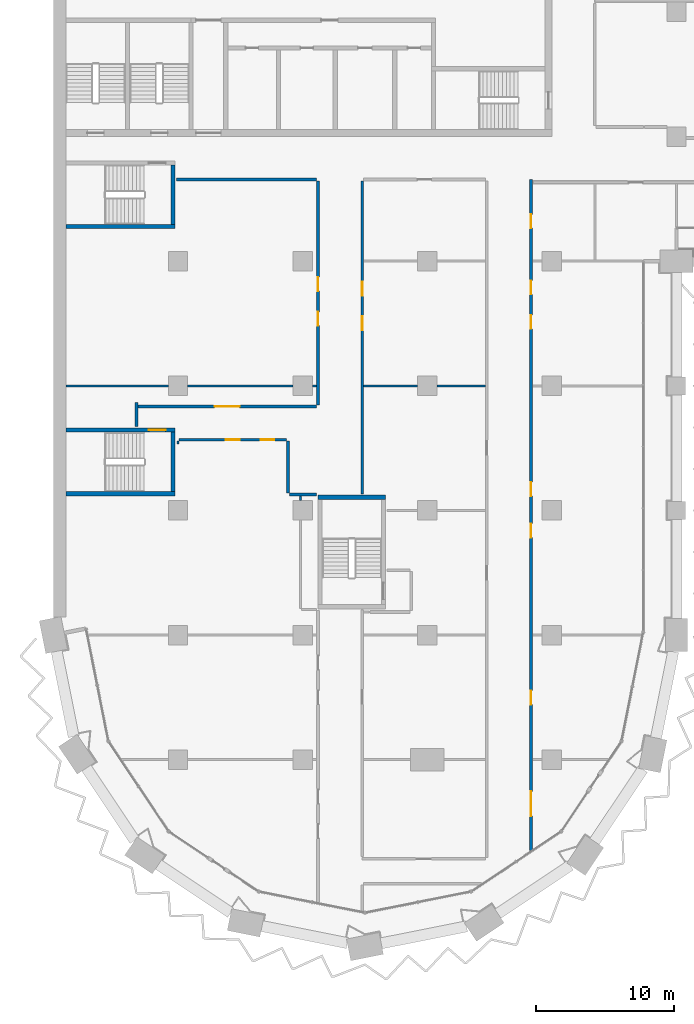
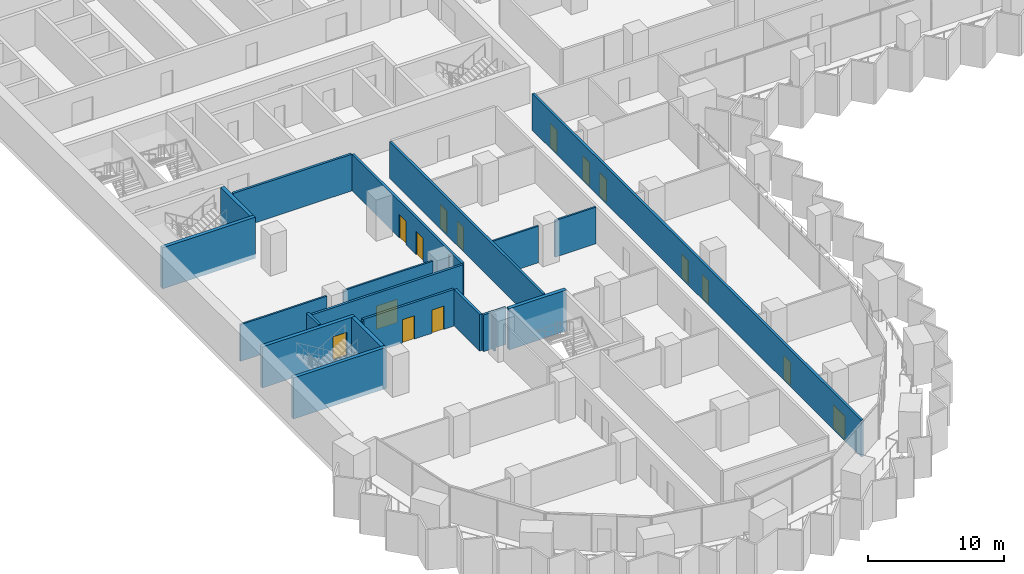
# One storey, part 11 of 29: 22 walls, 15 doors, 15 openings.
"""IFC4 building model written with IfcOpenShell, lengths in metres."""

from ifc_helpers import new_model, si_unit, direction, frame, frame_2d, origin, place, context, subcontext, project, spatial, rectangle, extrude, material, layer, layer_set, type_object, element, fill, save


model = new_model("IFC4")

# Units and contexts
model_context = context("Model", 3, precision=1e-05, world=origin(), true_north=direction((0.0, 1.0)))
body_context = subcontext(model_context, "Body", "Model", "MODEL_VIEW")
ifc_project = project(units=[si_unit("LENGTHUNIT", "METRE"), si_unit("AREAUNIT", "SQUARE_METRE"), si_unit("VOLUMEUNIT", "CUBIC_METRE"), si_unit("PLANEANGLEUNIT", "RADIAN"), si_unit("MASSUNIT", "GRAM", prefix="KILO")], contexts=[model_context])

# Site, building, storey
site_placement = place(None, origin())
site = spatial("IfcSite", under=ifc_project, at=site_placement, CompositionType="ELEMENT")
building_placement = place(site_placement, origin())
building = spatial("IfcBuilding", under=site, at=building_placement, Name="Hunhe Ridgeline Campus", CompositionType="ELEMENT")
storey_placement = place(building_placement, frame((0.0, 0.0, 46.89990234375)))
storey = spatial("IfcBuildingStorey", under=building, at=storey_placement, Name="L10", CompositionType="ELEMENT", Elevation=46.89990234375)

# Wall
ifc_material_1 = material(Name="Gypsum board partition")
ifc_layer_1 = layer(ifc_material_1, 0.199951171875)
ifc_layer_set_1 = layer_set([ifc_layer_1], Name="Corridor partition 200 gypsum board on steel studs")
wall_type_1 = type_object("IfcWallType", Name="Corridor partition 200 gypsum board on steel studs", PredefinedType="PARTITIONING", material=ifc_layer_set_1)
wall_1_placement = place(storey_placement, frame((18.99609375, 37.14990234375, 0.0), z_axis=(0.0, 0.0, 1.0), x_axis=(-1.0, 0.0, 0.0)))
element("IfcWall", 1, at=wall_1_placement, inside=storey, type_object=wall_type_1, Name="F-L10-wall-023", PredefinedType="PARTITIONING", context=body_context, shape_type="SweptSolid", body=[
    extrude(rectangle(XDim=1.946044921875, YDim=0.199951171875, at=frame_2d((0.97314453125, 0.0))), origin(), (0.0, 0.0, 1.0), 3.300048828125),
])

# Wall, openings, doors
wall_2_placement = place(storey_placement, frame((16.85009765625, 41.10009765625, 0.0), z_axis=(0.0, 0.0, 1.0), x_axis=(-1.0, 0.0, 0.0)))
wall_2 = element("IfcWall", 2, at=wall_2_placement, inside=storey, type_object=wall_type_1, Name="F-L10-wall-024", PredefinedType="PARTITIONING", context=body_context, shape_type="SweptSolid", body=[
    extrude(rectangle(XDim=7.775146484375, YDim=0.199951171875, at=frame_2d((3.8876953125, 0.0))), origin(), (0.0, 0.0, 1.0), 3.300048828125),
])
opening_1_placement = place(wall_2_placement, frame((3.387451171875, 0.0, 0.0)))
opening_1 = element("IfcOpeningElement", 3, at=opening_1_placement, cuts=wall_2, Name="Opening RD1-013", PredefinedType="OPENING", context=body_context, shape_type="SweptSolid", body=[
    extrude(rectangle(XDim=1.0, YDim=2.10009765625, at=frame_2d((0.5, 1.050048828125))), frame((0.0, 0.10009765625, 0.0), z_axis=(0.0, -1.0, 0.0), x_axis=(1.0, 0.0, 0.0)), (0.0, 0.0, 1.0), 0.199951171875),
])
opening_2_placement = place(wall_2_placement, frame((0.887451171875, 0.0, 0.0)))
opening_2 = element("IfcOpeningElement", 4, at=opening_2_placement, cuts=wall_2, Name="Opening RD1-014", PredefinedType="OPENING", context=body_context, shape_type="SweptSolid", body=[
    extrude(rectangle(XDim=1.0, YDim=2.10009765625, at=frame_2d((0.5, 1.050048828125))), frame((0.0, 0.10009765625, 0.0), z_axis=(0.0, -1.0, 0.0), x_axis=(1.0, 0.0, 0.0)), (0.0, 0.0, 1.0), 0.199951171875),
])
ifc_material_2 = material(Name="Timber door leaf", Category="wood")
door_type_1 = type_object("IfcDoorType", Name="Single fire door 1000x2100 timber FD60", OperationType="NOTDEFINED", PredefinedType="DOOR", material=ifc_material_2)
door_1_placement = place(opening_1_placement, frame((1.0, 0.0, 0.0), z_axis=(0.0, 0.0, 1.0), x_axis=(-1.0, 0.0, 0.0)))
door_1 = element("IfcDoor", 5, at=door_1_placement, inside=storey, type_object=door_type_1, Name="F-L10-door-013", OperationType="SINGLE_SWING_RIGHT", OverallHeight=2.10009765625, OverallWidth=1.0, PredefinedType="DOOR", context=body_context, shape_type="SweptSolid", body=[
    extrude(rectangle(XDim=1.0, YDim=2.10009765625, at=frame_2d((0.5, 1.050048828125))), frame((0.0, 0.02490234375, 0.0), z_axis=(0.0, -1.0, 0.0), x_axis=(1.0, 0.0, 0.0)), (0.0, 0.0, 1.0), 0.050048828125),
])
fill(opening_1, door_1)
door_2_placement = place(opening_2_placement, frame((1.0, 0.0, 0.0), z_axis=(0.0, 0.0, 1.0), x_axis=(-1.0, 0.0, 0.0)))
door_2 = element("IfcDoor", 6, at=door_2_placement, inside=storey, type_object=door_type_1, Name="F-L10-door-014", OperationType="SINGLE_SWING_RIGHT", OverallHeight=2.10009765625, OverallWidth=1.0, PredefinedType="DOOR", context=body_context, shape_type="SweptSolid", body=[
    extrude(rectangle(XDim=1.0, YDim=2.10009765625, at=frame_2d((0.5, 1.050048828125))), frame((0.0, 0.02490234375, 0.0), z_axis=(0.0, -1.0, 0.0), x_axis=(1.0, 0.0, 0.0)), (0.0, 0.0, 1.0), 0.050048828125),
])
fill(opening_2, door_2)

# Wall, opening, door
wall_3_placement = place(storey_placement, frame((6.10009765625, 43.5, 0.0), z_axis=(0.0, 0.0, 1.0), x_axis=(1.0, 0.0, 0.0)))
wall_3 = element("IfcWall", 7, at=wall_3_placement, inside=storey, type_object=wall_type_1, Name="F-L10-wall-025", PredefinedType="PARTITIONING", context=body_context, shape_type="SweptSolid", body=[
    extrude(rectangle(XDim=12.89990234375, YDim=0.199951171875, at=frame_2d((6.449951171875, 0.0))), origin(), (0.0, 0.0, 1.0), 3.300048828125),
])
opening_3_placement = place(wall_3_placement, frame((5.550048828125, 0.0, 0.0)))
opening_3 = element("IfcOpeningElement", 8, at=opening_3_placement, cuts=wall_3, Name="Opening RD2-015", PredefinedType="OPENING", context=body_context, shape_type="SweptSolid", body=[
    extrude(rectangle(XDim=1.800048828125, YDim=2.10009765625, at=frame_2d((0.89990234375, 1.050048828125))), frame((0.0, 0.10009765625, 0.0), z_axis=(0.0, -1.0, 0.0), x_axis=(1.0, 0.0, 0.0)), (0.0, 0.0, 1.0), 0.199951171875),
])
door_type_2 = type_object("IfcDoorType", Name="Double fire door 1800x2100 timber FD60", OperationType="DOUBLE_DOOR_SINGLE_SWING", PredefinedType="DOOR", material=ifc_material_2)
door_3_placement = place(opening_3_placement, origin())
door_3 = element("IfcDoor", 9, at=door_3_placement, inside=storey, type_object=door_type_2, Name="F-L10-door-015", OperationType="DOUBLE_DOOR_SINGLE_SWING", OverallHeight=2.10009765625, OverallWidth=1.800048828125, PredefinedType="DOOR", context=body_context, shape_type="SweptSolid", body=[
    extrude(rectangle(XDim=1.800048828125, YDim=2.10009765625, at=frame_2d((0.89990234375, 1.050048828125))), frame((0.0, 0.02490234375, 0.0), z_axis=(0.0, -1.0, 0.0), x_axis=(1.0, 0.0, 0.0)), (0.0, 0.0, 1.0), 0.050048828125),
])
fill(opening_3, door_3)

# Walls
wall_4_placement = place(storey_placement, frame((19.0, 59.89990234375, 0.0), z_axis=(0.0, 0.0, 1.0), x_axis=(-1.0, 0.0, 0.0)))
element("IfcWall", 10, at=wall_4_placement, inside=storey, type_object=wall_type_1, Name="F-L10-wall-038", PredefinedType="PARTITIONING", context=body_context, shape_type="SweptSolid", body=[
    extrude(rectangle(XDim=10.095947265625, YDim=0.199951171875, at=frame_2d((5.0478515625, 0.0))), origin(), (0.0, 0.0, 1.0), 3.300048828125),
])
wall_5_placement = place(storey_placement, frame((6.0, 42.053955078125, 0.0), z_axis=(0.0, 0.0, 1.0), x_axis=(0.0, 1.0, 0.0)))
element("IfcWall", 11, at=wall_5_placement, inside=storey, type_object=wall_type_1, Name="F-L10-wall-055", PredefinedType="PARTITIONING", context=body_context, shape_type="SweptSolid", body=[
    extrude(rectangle(XDim=1.74609375, YDim=0.199951171875, at=frame_2d((0.873046875, 0.0))), origin(), (0.0, 0.0, 1.0), 3.300048828125),
])
wall_6_placement = place(storey_placement, frame((16.949951171875, 37.25, 0.0), z_axis=(0.0, 0.0, 1.0), x_axis=(0.0, 1.0, 0.0)))
element("IfcWall", 12, at=wall_6_placement, inside=storey, type_object=wall_type_1, Name="F-L10-wall-057", PredefinedType="PARTITIONING", context=body_context, shape_type="SweptSolid", body=[
    extrude(rectangle(XDim=3.75, YDim=0.199951171875, at=frame_2d((1.875, 0.0))), origin(), (0.0, 0.0, 1.0), 3.300048828125),
])

# Wall, openings, doors
wall_7_placement = place(storey_placement, frame((19.10009765625, 43.6181640625, 0.0), z_axis=(0.0, 0.0, 1.0), x_axis=(0.0, 1.0, 0.0)))
wall_7 = element("IfcWall", 13, at=wall_7_placement, inside=storey, type_object=wall_type_1, Name="F-L10-wall-061", PredefinedType="PARTITIONING", context=body_context, shape_type="SweptSolid", body=[
    extrude(rectangle(XDim=16.181884765625, YDim=0.199951171875, at=frame_2d((8.0908203125, 0.0))), origin(), (0.0, 0.0, 1.0), 3.300048828125),
])
opening_4_placement = place(wall_7_placement, frame((5.72314453125, 0.0, 0.0)))
opening_4 = element("IfcOpeningElement", 14, at=opening_4_placement, cuts=wall_7, Name="Opening RD1-018", PredefinedType="OPENING", context=body_context, shape_type="SweptSolid", body=[
    extrude(rectangle(XDim=1.0, YDim=2.10009765625, at=frame_2d((0.5, 1.050048828125))), frame((0.0, 0.10009765625, 0.0), z_axis=(0.0, -1.0, 0.0), x_axis=(1.0, 0.0, 0.0)), (0.0, 0.0, 1.0), 0.199951171875),
])
opening_5_placement = place(wall_7_placement, frame((8.22314453125, 0.0, 0.0)))
opening_5 = element("IfcOpeningElement", 15, at=opening_5_placement, cuts=wall_7, Name="Opening RD1-021", PredefinedType="OPENING", context=body_context, shape_type="SweptSolid", body=[
    extrude(rectangle(XDim=1.0, YDim=2.10009765625, at=frame_2d((0.5, 1.050048828125))), frame((0.0, 0.10009765625, 0.0), z_axis=(0.0, -1.0, 0.0), x_axis=(1.0, 0.0, 0.0)), (0.0, 0.0, 1.0), 0.199951171875),
])
door_4_placement = place(opening_4_placement, frame((1.0, 0.0, 0.0), z_axis=(0.0, 0.0, 1.0), x_axis=(-1.0, 0.0, 0.0)))
door_4 = element("IfcDoor", 16, at=door_4_placement, inside=storey, type_object=door_type_1, Name="F-L10-door-018", OperationType="SINGLE_SWING_RIGHT", OverallHeight=2.10009765625, OverallWidth=1.0, PredefinedType="DOOR", context=body_context, shape_type="SweptSolid", body=[
    extrude(rectangle(XDim=1.0, YDim=2.10009765625, at=frame_2d((0.5, 1.050048828125))), frame((0.0, 0.02490234375, 0.0), z_axis=(0.0, -1.0, 0.0), x_axis=(1.0, 0.0, 0.0)), (0.0, 0.0, 1.0), 0.050048828125),
])
fill(opening_4, door_4)
door_5_placement = place(opening_5_placement, frame((1.0, 0.0, 0.0), z_axis=(0.0, 0.0, 1.0), x_axis=(-1.0, 0.0, 0.0)))
door_5 = element("IfcDoor", 17, at=door_5_placement, inside=storey, type_object=door_type_1, Name="F-L10-door-021", OperationType="SINGLE_SWING_RIGHT", OverallHeight=2.10009765625, OverallWidth=1.0, PredefinedType="DOOR", context=body_context, shape_type="SweptSolid", body=[
    extrude(rectangle(XDim=1.0, YDim=2.10009765625, at=frame_2d((0.5, 1.050048828125))), frame((0.0, 0.02490234375, 0.0), z_axis=(0.0, -1.0, 0.0), x_axis=(1.0, 0.0, 0.0)), (0.0, 0.0, 1.0), 0.050048828125),
])
fill(opening_5, door_5)

wall_8_placement = place(storey_placement, frame((22.300048828125, 59.800048828125, 0.0), z_axis=(0.0, 0.0, 1.0), x_axis=(0.0, -1.0, 0.0)))
wall_8 = element("IfcWall", 18, at=wall_8_placement, inside=storey, type_object=wall_type_1, Name="F-L10-wall-064", PredefinedType="PARTITIONING", context=body_context, shape_type="SweptSolid", body=[
    extrude(rectangle(XDim=22.595947265625, YDim=0.199951171875, at=frame_2d((11.2978515625, 0.0))), origin(), (0.0, 0.0, 1.0), 3.300048828125),
])
opening_6_placement = place(wall_8_placement, frame((9.793701171875, 0.0, 0.0)))
opening_6 = element("IfcOpeningElement", 19, at=opening_6_placement, cuts=wall_8, Name="Opening RD1-016", PredefinedType="OPENING", context=body_context, shape_type="SweptSolid", body=[
    extrude(rectangle(XDim=1.0, YDim=2.10009765625, at=frame_2d((0.5, 1.050048828125))), frame((0.0, 0.10009765625, 0.0), z_axis=(0.0, -1.0, 0.0), x_axis=(1.0, 0.0, 0.0)), (0.0, 0.0, 1.0), 0.199951171875),
])
opening_7_placement = place(wall_8_placement, frame((7.293701171875, 0.0, 0.0)))
opening_7 = element("IfcOpeningElement", 20, at=opening_7_placement, cuts=wall_8, Name="Opening RD1-019", PredefinedType="OPENING", context=body_context, shape_type="SweptSolid", body=[
    extrude(rectangle(XDim=1.0, YDim=2.10009765625, at=frame_2d((0.5, 1.050048828125))), frame((0.0, 0.10009765625, 0.0), z_axis=(0.0, -1.0, 0.0), x_axis=(1.0, 0.0, 0.0)), (0.0, 0.0, 1.0), 0.199951171875),
])
door_6_placement = place(opening_6_placement, frame((1.0, 0.0, 0.0), z_axis=(0.0, 0.0, 1.0), x_axis=(-1.0, 0.0, 0.0)))
door_6 = element("IfcDoor", 21, at=door_6_placement, inside=storey, type_object=door_type_1, Name="F-L10-door-016", OperationType="SINGLE_SWING_RIGHT", OverallHeight=2.10009765625, OverallWidth=1.0, PredefinedType="DOOR", context=body_context, shape_type="SweptSolid", body=[
    extrude(rectangle(XDim=1.0, YDim=2.10009765625, at=frame_2d((0.5, 1.050048828125))), frame((0.0, 0.02490234375, 0.0), z_axis=(0.0, -1.0, 0.0), x_axis=(1.0, 0.0, 0.0)), (0.0, 0.0, 1.0), 0.050048828125),
])
fill(opening_6, door_6)
door_7_placement = place(opening_7_placement, frame((1.0, 0.0, 0.0), z_axis=(0.0, 0.0, 1.0), x_axis=(-1.0, 0.0, 0.0)))
door_7 = element("IfcDoor", 22, at=door_7_placement, inside=storey, type_object=door_type_1, Name="F-L10-door-019", OperationType="SINGLE_SWING_RIGHT", OverallHeight=2.10009765625, OverallWidth=1.0, PredefinedType="DOOR", context=body_context, shape_type="SweptSolid", body=[
    extrude(rectangle(XDim=1.0, YDim=2.10009765625, at=frame_2d((0.5, 1.050048828125))), frame((0.0, 0.02490234375, 0.0), z_axis=(0.0, -1.0, 0.0), x_axis=(1.0, 0.0, 0.0)), (0.0, 0.0, 1.0), 0.050048828125),
])
fill(opening_7, door_7)

wall_9_placement = place(storey_placement, frame((34.5, 59.89990234375, 0.0), z_axis=(0.0, 0.0, 1.0), x_axis=(0.0, -1.0, 0.0)))
wall_9 = element("IfcWall", 23, at=wall_9_placement, inside=storey, type_object=wall_type_1, Name="F-L10-wall-067", PredefinedType="PARTITIONING", context=body_context, shape_type="SweptSolid", body=[
    extrude(rectangle(XDim=48.4697265625, YDim=0.199951171875, at=frame_2d((24.23486328125, 0.0))), origin(), (0.0, 0.0, 1.0), 3.300048828125),
])
opening_8_placement = place(wall_9_placement, frame((44.179443359375, 0.0, 0.0)))
opening_8 = element("IfcOpeningElement", 24, at=opening_8_placement, cuts=wall_9, Name="Opening RD2-003", PredefinedType="OPENING", context=body_context, shape_type="SweptSolid", body=[
    extrude(rectangle(XDim=1.800048828125, YDim=2.10009765625, at=frame_2d((0.89990234375, 1.050048828125))), frame((0.0, 0.10009765625, 0.0), z_axis=(0.0, -1.0, 0.0), x_axis=(1.0, 0.0, 0.0)), (0.0, 0.0, 1.0), 0.199951171875),
])
opening_9_placement = place(wall_9_placement, frame((36.919677734375, 0.0, 0.0)))
opening_9 = element("IfcOpeningElement", 25, at=opening_9_placement, cuts=wall_9, Name="Opening RD1-007", PredefinedType="OPENING", context=body_context, shape_type="SweptSolid", body=[
    extrude(rectangle(XDim=1.0, YDim=2.10009765625, at=frame_2d((0.5, 1.050048828125))), frame((0.0, 0.10009765625, 0.0), z_axis=(0.0, -1.0, 0.0), x_axis=(1.0, 0.0, 0.0)), (0.0, 0.0, 1.0), 0.199951171875),
])
opening_10_placement = place(wall_9_placement, frame((24.858154296875, 0.0, 0.0)))
opening_10 = element("IfcOpeningElement", 26, at=opening_10_placement, cuts=wall_9, Name="Opening RD1-010", PredefinedType="OPENING", context=body_context, shape_type="SweptSolid", body=[
    extrude(rectangle(XDim=1.0, YDim=2.10009765625, at=frame_2d((0.5, 1.050048828125))), frame((0.0, 0.10009765625, 0.0), z_axis=(0.0, -1.0, 0.0), x_axis=(1.0, 0.0, 0.0)), (0.0, 0.0, 1.0), 0.199951171875),
])
opening_11_placement = place(wall_9_placement, frame((21.858154296875, 0.0, 0.0)))
opening_11 = element("IfcOpeningElement", 27, at=opening_11_placement, cuts=wall_9, Name="Opening RD1-011", PredefinedType="OPENING", context=body_context, shape_type="SweptSolid", body=[
    extrude(rectangle(XDim=1.0, YDim=2.10009765625, at=frame_2d((0.5, 1.050048828125))), frame((0.0, 0.10009765625, 0.0), z_axis=(0.0, -1.0, 0.0), x_axis=(1.0, 0.0, 0.0)), (0.0, 0.0, 1.0), 0.199951171875),
])
opening_12_placement = place(wall_9_placement, frame((9.796630859375, 0.0, 0.0)))
opening_12 = element("IfcOpeningElement", 28, at=opening_12_placement, cuts=wall_9, Name="Opening RD1-017", PredefinedType="OPENING", context=body_context, shape_type="SweptSolid", body=[
    extrude(rectangle(XDim=1.0, YDim=2.10009765625, at=frame_2d((0.5, 1.050048828125))), frame((0.0, 0.10009765625, 0.0), z_axis=(0.0, -1.0, 0.0), x_axis=(1.0, 0.0, 0.0)), (0.0, 0.0, 1.0), 0.199951171875),
])
opening_13_placement = place(wall_9_placement, frame((7.296630859375, 0.0, 0.0)))
opening_13 = element("IfcOpeningElement", 29, at=opening_13_placement, cuts=wall_9, Name="Opening RD1-020", PredefinedType="OPENING", context=body_context, shape_type="SweptSolid", body=[
    extrude(rectangle(XDim=1.0, YDim=2.10009765625, at=frame_2d((0.5, 1.050048828125))), frame((0.0, 0.10009765625, 0.0), z_axis=(0.0, -1.0, 0.0), x_axis=(1.0, 0.0, 0.0)), (0.0, 0.0, 1.0), 0.199951171875),
])
opening_14_placement = place(wall_9_placement, frame((2.513671875, 0.0, 0.0)))
opening_14 = element("IfcOpeningElement", 30, at=opening_14_placement, cuts=wall_9, Name="Opening RD1-022", PredefinedType="OPENING", context=body_context, shape_type="SweptSolid", body=[
    extrude(rectangle(XDim=1.0, YDim=2.10009765625, at=frame_2d((0.5, 1.050048828125))), frame((0.0, 0.10009765625, 0.0), z_axis=(0.0, -1.0, 0.0), x_axis=(1.0, 0.0, 0.0)), (0.0, 0.0, 1.0), 0.199951171875),
])
door_8_placement = place(opening_8_placement, origin())
door_8 = element("IfcDoor", 31, at=door_8_placement, inside=storey, type_object=door_type_2, Name="F-L10-door-003", OperationType="DOUBLE_DOOR_SINGLE_SWING", OverallHeight=2.10009765625, OverallWidth=1.800048828125, PredefinedType="DOOR", context=body_context, shape_type="SweptSolid", body=[
    extrude(rectangle(XDim=1.800048828125, YDim=2.10009765625, at=frame_2d((0.89990234375, 1.050048828125))), frame((0.0, 0.02490234375, 0.0), z_axis=(0.0, -1.0, 0.0), x_axis=(1.0, 0.0, 0.0)), (0.0, 0.0, 1.0), 0.050048828125),
])
fill(opening_8, door_8)
door_9_placement = place(opening_9_placement, origin())
door_9 = element("IfcDoor", 32, at=door_9_placement, inside=storey, type_object=door_type_1, Name="F-L10-door-007", OperationType="SINGLE_SWING_LEFT", OverallHeight=2.10009765625, OverallWidth=1.0, PredefinedType="DOOR", context=body_context, shape_type="SweptSolid", body=[
    extrude(rectangle(XDim=1.0, YDim=2.10009765625, at=frame_2d((0.5, 1.050048828125))), frame((0.0, 0.02490234375, 0.0), z_axis=(0.0, -1.0, 0.0), x_axis=(1.0, 0.0, 0.0)), (0.0, 0.0, 1.0), 0.050048828125),
])
fill(opening_9, door_9)
door_10_placement = place(opening_10_placement, frame((1.0, 0.0, 0.0), z_axis=(0.0, 0.0, 1.0), x_axis=(-1.0, 0.0, 0.0)))
door_10 = element("IfcDoor", 33, at=door_10_placement, inside=storey, type_object=door_type_1, Name="F-L10-door-010", OperationType="SINGLE_SWING_LEFT", OverallHeight=2.10009765625, OverallWidth=1.0, PredefinedType="DOOR", context=body_context, shape_type="SweptSolid", body=[
    extrude(rectangle(XDim=1.0, YDim=2.10009765625, at=frame_2d((0.5, 1.050048828125))), frame((0.0, 0.02490234375, 0.0), z_axis=(0.0, -1.0, 0.0), x_axis=(1.0, 0.0, 0.0)), (0.0, 0.0, 1.0), 0.050048828125),
])
fill(opening_10, door_10)
door_11_placement = place(opening_11_placement, frame((1.0, 0.0, 0.0), z_axis=(0.0, 0.0, 1.0), x_axis=(-1.0, 0.0, 0.0)))
door_11 = element("IfcDoor", 34, at=door_11_placement, inside=storey, type_object=door_type_1, Name="F-L10-door-011", OperationType="SINGLE_SWING_RIGHT", OverallHeight=2.10009765625, OverallWidth=1.0, PredefinedType="DOOR", context=body_context, shape_type="SweptSolid", body=[
    extrude(rectangle(XDim=1.0, YDim=2.10009765625, at=frame_2d((0.5, 1.050048828125))), frame((0.0, 0.02490234375, 0.0), z_axis=(0.0, -1.0, 0.0), x_axis=(1.0, 0.0, 0.0)), (0.0, 0.0, 1.0), 0.050048828125),
])
fill(opening_11, door_11)
door_12_placement = place(opening_12_placement, frame((1.0, 0.0, 0.0), z_axis=(0.0, 0.0, 1.0), x_axis=(-1.0, 0.0, 0.0)))
door_12 = element("IfcDoor", 35, at=door_12_placement, inside=storey, type_object=door_type_1, Name="F-L10-door-017", OperationType="SINGLE_SWING_RIGHT", OverallHeight=2.10009765625, OverallWidth=1.0, PredefinedType="DOOR", context=body_context, shape_type="SweptSolid", body=[
    extrude(rectangle(XDim=1.0, YDim=2.10009765625, at=frame_2d((0.5, 1.050048828125))), frame((0.0, 0.02490234375, 0.0), z_axis=(0.0, -1.0, 0.0), x_axis=(1.0, 0.0, 0.0)), (0.0, 0.0, 1.0), 0.050048828125),
])
fill(opening_12, door_12)
door_13_placement = place(opening_13_placement, frame((1.0, 0.0, 0.0), z_axis=(0.0, 0.0, 1.0), x_axis=(-1.0, 0.0, 0.0)))
door_13 = element("IfcDoor", 36, at=door_13_placement, inside=storey, type_object=door_type_1, Name="F-L10-door-020", OperationType="SINGLE_SWING_RIGHT", OverallHeight=2.10009765625, OverallWidth=1.0, PredefinedType="DOOR", context=body_context, shape_type="SweptSolid", body=[
    extrude(rectangle(XDim=1.0, YDim=2.10009765625, at=frame_2d((0.5, 1.050048828125))), frame((0.0, 0.02490234375, 0.0), z_axis=(0.0, -1.0, 0.0), x_axis=(1.0, 0.0, 0.0)), (0.0, 0.0, 1.0), 0.050048828125),
])
fill(opening_13, door_13)
door_14_placement = place(opening_14_placement, origin())
door_14 = element("IfcDoor", 37, at=door_14_placement, inside=storey, type_object=door_type_1, Name="F-L10-door-022", OperationType="SINGLE_SWING_LEFT", OverallHeight=2.10009765625, OverallWidth=1.0, PredefinedType="DOOR", context=body_context, shape_type="SweptSolid", body=[
    extrude(rectangle(XDim=1.0, YDim=2.10009765625, at=frame_2d((0.5, 1.050048828125))), frame((0.0, 0.02490234375, 0.0), z_axis=(0.0, -1.0, 0.0), x_axis=(1.0, 0.0, 0.0)), (0.0, 0.0, 1.0), 0.050048828125),
])
fill(opening_14, door_14)

# Walls
ifc_layer_2 = layer(ifc_material_1, 0.14990234375)
ifc_layer_set_2 = layer_set([ifc_layer_2], Name="Room partition 150 gypsum board on steel studs")
wall_type_2 = type_object("IfcWallType", Name="Room partition 150 gypsum board on steel studs", PredefinedType="PARTITIONING", material=ifc_layer_set_2)
wall_10_placement = place(storey_placement, frame((0.919921875, 45.0, 0.0), z_axis=(0.0, 0.0, 1.0), x_axis=(1.0, 0.0, 0.0)))
element("IfcWall", 38, at=wall_10_placement, inside=storey, type_object=wall_type_2, Name="F-L10-wall-026", PredefinedType="PARTITIONING", context=body_context, shape_type="SweptSolid", body=[
    extrude(rectangle(XDim=7.380126953125, YDim=0.14990234375, at=frame_2d((3.68994140625, 0.0))), origin(), (0.0, 0.0, 1.0), 3.300048828125),
])
wall_11_placement = place(storey_placement, frame((9.699951171875, 45.0, 0.0), z_axis=(0.0, 0.0, 1.0), x_axis=(1.0, 0.0, 0.0)))
element("IfcWall", 39, at=wall_11_placement, inside=storey, type_object=wall_type_2, Name="F-L10-wall-027", PredefinedType="PARTITIONING", context=body_context, shape_type="SweptSolid", body=[
    extrude(rectangle(XDim=7.60009765625, YDim=0.14990234375, at=frame_2d((3.800048828125, 0.0))), origin(), (0.0, 0.0, 1.0), 3.300048828125),
])
wall_12_placement = place(storey_placement, frame((18.699951171875, 45.0, 0.0), z_axis=(0.0, 0.0, 1.0), x_axis=(1.0, 0.0, 0.0)))
element("IfcWall", 40, at=wall_12_placement, inside=storey, type_object=wall_type_2, Name="F-L10-wall-028", PredefinedType="PARTITIONING", context=body_context, shape_type="SweptSolid", body=[
    extrude(rectangle(XDim=0.300048828125, YDim=0.14990234375, at=frame_2d((0.14990234375, 0.0))), origin(), (0.0, 0.0, 1.0), 3.300048828125),
])
wall_13_placement = place(storey_placement, frame((22.39990234375, 45.0, 0.0), z_axis=(0.0, 0.0, 1.0), x_axis=(1.0, 0.0, 0.0)))
element("IfcWall", 41, at=wall_13_placement, inside=storey, type_object=wall_type_2, Name="F-L10-wall-029", PredefinedType="PARTITIONING", context=body_context, shape_type="SweptSolid", body=[
    extrude(rectangle(XDim=3.900146484375, YDim=0.14990234375, at=frame_2d((1.9501953125, 0.0))), origin(), (0.0, 0.0, 1.0), 3.300048828125),
])
wall_14_placement = place(storey_placement, frame((27.699951171875, 45.0, 0.0), z_axis=(0.0, 0.0, 1.0), x_axis=(1.0, 0.0, 0.0)))
element("IfcWall", 42, at=wall_14_placement, inside=storey, type_object=wall_type_2, Name="F-L10-wall-030", PredefinedType="PARTITIONING", context=body_context, shape_type="SweptSolid", body=[
    extrude(rectangle(XDim=3.5, YDim=0.14990234375, at=frame_2d((1.75, 0.0))), origin(), (0.0, 0.0, 1.0), 3.300048828125),
])
wall_15_placement = place(storey_placement, frame((9.0, 41.0, 0.0), z_axis=(0.0, 0.0, 1.0), x_axis=(0.0, -1.0, 0.0)))
element("IfcWall", 43, at=wall_15_placement, inside=storey, type_object=wall_type_2, Name="F-L10-wall-056", PredefinedType="PARTITIONING", context=body_context, shape_type="SweptSolid", body=[
    extrude(rectangle(XDim=0.199951171875, YDim=0.14990234375, at=frame_2d((0.10009765625, 0.0))), origin(), (0.0, 0.0, 1.0), 3.300048828125),
])
wall_16_placement = place(storey_placement, frame((17.85009765625, 37.050048828125, 0.0), z_axis=(0.0, 0.0, 1.0), x_axis=(0.0, -1.0, 0.0)))
element("IfcWall", 44, at=wall_16_placement, inside=storey, type_object=wall_type_2, Name="F-L10-wall-059", PredefinedType="PARTITIONING", context=body_context, shape_type="SweptSolid", body=[
    extrude(rectangle(XDim=0.35009765625, YDim=0.14990234375, at=frame_2d((0.175048828125, 0.0))), origin(), (0.0, 0.0, 1.0), 3.300048828125),
])
ifc_material_3 = material(Name="Concrete C80", Category="concrete")
ifc_layer_3 = layer(ifc_material_3, 0.300048828125)
ifc_layer_set_3 = layer_set([ifc_layer_3], Name="Stair wall 300 reinforced concrete C80")
wall_type_3 = type_object("IfcWallType", Name="Stair wall 300 reinforced concrete C80", PredefinedType="SOLIDWALL", material=ifc_layer_set_3)
wall_17_placement = place(storey_placement, frame((19.10009765625, 36.949951171875, -0.39990234375), z_axis=(0.0, 0.0, 1.0), x_axis=(1.0, 0.0, 0.0)))
element("IfcWall", 45, at=wall_17_placement, inside=storey, type_object=wall_type_3, Name="L10 core wall 2", PredefinedType="SOLIDWALL", context=body_context, shape_type="SweptSolid", body=[
    extrude(rectangle(XDim=4.89990234375, YDim=0.300048828125, at=frame_2d((2.449951171875, 0.0))), origin(), (0.0, 0.0, 1.0), 3.699951171875),
])
wall_18_placement = place(storey_placement, frame((0.89990234375, 37.199951171875, -0.39990234375), z_axis=(0.0, 0.0, 1.0), x_axis=(1.0, 0.0, 0.0)))
element("IfcWall", 46, at=wall_18_placement, inside=storey, type_object=wall_type_3, Name="L10 core wall 3", PredefinedType="SOLIDWALL", context=body_context, shape_type="SweptSolid", body=[
    extrude(rectangle(XDim=7.900146484375, YDim=0.300048828125, at=frame_2d((3.9501953125, 0.0))), origin(), (0.0, 0.0, 1.0), 3.699951171875),
])

# Wall, opening, door
wall_19_placement = place(storey_placement, frame((0.89990234375, 41.800048828125, -0.39990234375), z_axis=(0.0, 0.0, 1.0), x_axis=(1.0, 0.0, 0.0)))
wall_19 = element("IfcWall", 47, at=wall_19_placement, inside=storey, type_object=wall_type_3, Name="L10 core wall 4", PredefinedType="SOLIDWALL", context=body_context, shape_type="SweptSolid", body=[
    extrude(rectangle(XDim=7.900146484375, YDim=0.300048828125, at=frame_2d((3.9501953125, 0.0))), origin(), (0.0, 0.0, 1.0), 3.699951171875),
])
opening_15_placement = place(wall_19_placement, frame((6.0, 0.0, 0.39990234375)))
opening_15 = element("IfcOpeningElement", 48, at=opening_15_placement, cuts=wall_19, Name="Opening CD21", PredefinedType="OPENING", context=body_context, shape_type="SweptSolid", body=[
    extrude(rectangle(XDim=1.199951171875, YDim=2.10009765625, at=frame_2d((0.60009765625, 1.050048828125))), frame((0.0, 0.14990234375, 0.0), z_axis=(0.0, -1.0, 0.0), x_axis=(1.0, 0.0, 0.0)), (0.0, 0.0, 1.0), 0.300048828125),
])
ifc_material_4 = material(Name="Hollow metal fire door leaf")
door_type_3 = type_object("IfcDoorType", Name="Stair door 1200x2100 FD60", OperationType="SINGLE_SWING_LEFT", PredefinedType="DOOR", material=ifc_material_4)
door_15_placement = place(opening_15_placement, origin())
door_15 = element("IfcDoor", 49, at=door_15_placement, inside=storey, type_object=door_type_3, Name="L10 door W1", OperationType="SINGLE_SWING_LEFT", OverallHeight=2.10009765625, OverallWidth=1.199951171875, PredefinedType="DOOR", context=body_context, shape_type="SweptSolid", body=[
    extrude(rectangle(XDim=1.199951171875, YDim=2.10009765625, at=frame_2d((0.60009765625, 1.050048828125))), frame((0.0, 0.02490234375, 0.0), z_axis=(0.0, -1.0, 0.0), x_axis=(1.0, 0.0, 0.0)), (0.0, 0.0, 1.0), 0.050048828125),
])
fill(opening_15, door_15)

# Walls
wall_20_placement = place(storey_placement, frame((0.89990234375, 56.5, -0.39990234375), z_axis=(0.0, 0.0, 1.0), x_axis=(1.0, 0.0, 0.0)))
element("IfcWall", 50, at=wall_20_placement, inside=storey, type_object=wall_type_3, Name="L10 core wall 5", PredefinedType="SOLIDWALL", context=body_context, shape_type="SweptSolid", body=[
    extrude(rectangle(XDim=7.900146484375, YDim=0.300048828125, at=frame_2d((3.9501953125, 0.0))), origin(), (0.0, 0.0, 1.0), 3.699951171875),
])
wall_21_placement = place(storey_placement, frame((8.64990234375, 37.35009765625, -0.39990234375), z_axis=(0.0, 0.0, 1.0), x_axis=(0.0, 1.0, 0.0)))
element("IfcWall", 51, at=wall_21_placement, inside=storey, type_object=wall_type_3, Name="L10 core wall 39", PredefinedType="SOLIDWALL", context=body_context, shape_type="SweptSolid", body=[
    extrude(rectangle(XDim=4.2998046875, YDim=0.300048828125, at=frame_2d((2.14990234375, 0.0))), origin(), (0.0, 0.0, 1.0), 3.699951171875),
])
wall_22_placement = place(storey_placement, frame((8.64990234375, 56.64990234375, -0.39990234375), z_axis=(0.0, 0.0, 1.0), x_axis=(0.0, 1.0, 0.0)))
element("IfcWall", 52, at=wall_22_placement, inside=storey, type_object=wall_type_3, Name="L10 core wall 40", PredefinedType="SOLIDWALL", context=body_context, shape_type="SweptSolid", body=[
    extrude(rectangle(XDim=4.300048828125, YDim=0.300048828125, at=frame_2d((2.14990234375, 0.0))), origin(), (0.0, 0.0, 1.0), 3.699951171875),
])

save(model, "model.ifc")
